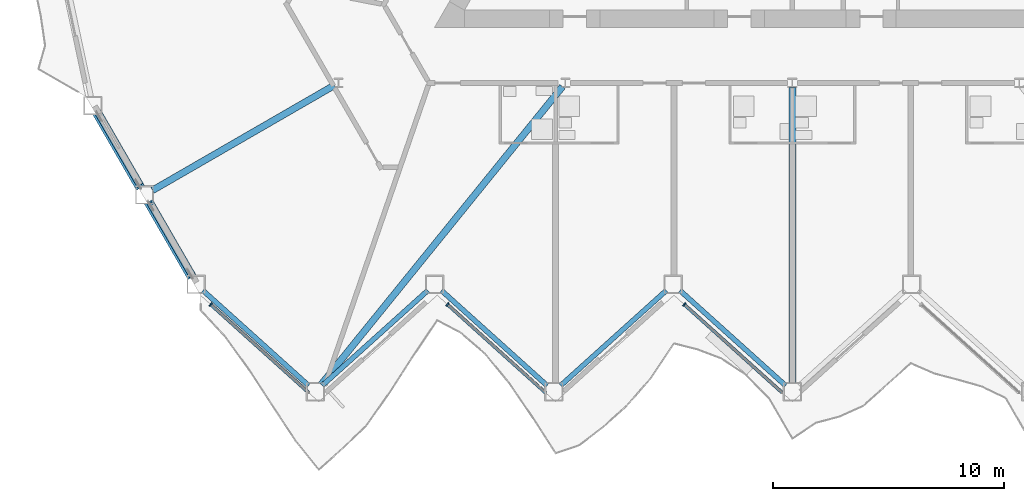
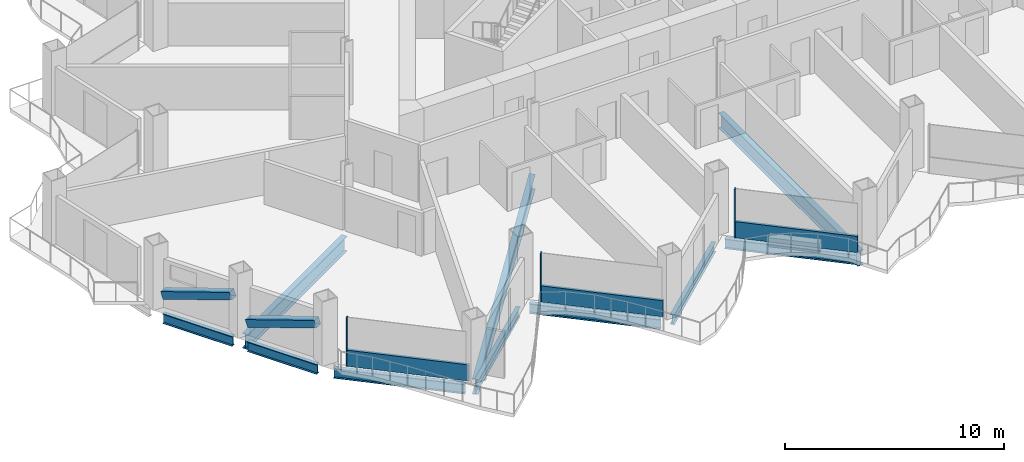
# One storey, part 3 of 23: 10 beams, 8 members, 3 elements without a shape of their own.
"""IFC4 building model written with IfcOpenShell, lengths in metres."""

from ifc_helpers import new_model, si_unit, direction, frame, origin, origin_2d, place, context, subcontext, project, spatial, rectangle, hollow_rectangle, i_section, extrude, material, layer, layer_set, material_profile, profile_set, type_object, element, aggregate, save


model = new_model("IFC4")

# Units and contexts
model_context = context("Model", 3, precision=1e-05, world=origin(), true_north=direction((0.0, 1.0)))
body_context = subcontext(model_context, "Body", "Model", "MODEL_VIEW")
ifc_project = project(units=[si_unit("LENGTHUNIT", "METRE"), si_unit("AREAUNIT", "SQUARE_METRE"), si_unit("VOLUMEUNIT", "CUBIC_METRE"), si_unit("PLANEANGLEUNIT", "RADIAN"), si_unit("MASSUNIT", "GRAM", prefix="KILO")], contexts=[model_context])

# Site, building, storey
site_placement = place(None, origin())
site = spatial("IfcSite", under=ifc_project, at=site_placement, CompositionType="ELEMENT")
building_placement = place(site_placement, origin())
building = spatial("IfcBuilding", under=site, at=building_placement, Name="Cormorant Prow Tower", CompositionType="ELEMENT")
storey_placement = place(building_placement, frame((0.0, 0.0, 180.0)))
storey = spatial("IfcBuildingStorey", under=building, at=storey_placement, Name="L38", CompositionType="ELEMENT", Elevation=180.0)

# Members
ifc_material_1 = material(Name="Structural steel ASTM A500 Gr C", Category="steel")
ifc_material_profile_1 = material_profile(ifc_material_1, hollow_rectangle(XDim=0.406494140625, YDim=0.406494140625, WallThickness=0.01171875, at=origin_2d()), Name="HSS16x16x1/2")
ifc_profile_set_1 = profile_set([ifc_material_profile_1], Name="Structural steel ASTM A500 Gr C")
member_type_1 = type_object("IfcMemberType", Name="Chamfer brace HSS16x16x1/2", PredefinedType="BRACE", material=ifc_profile_set_1)
member_1_placement = place(storey_placement, frame((-30.08544921875, -12.689453125, 0.739990234375), z_axis=(0.473983276796, -0.820989698857, 0.31830137871), x_axis=(0.866032413668, 0.499987858329, 0.0)))
element("IfcMember", 1, at=member_1_placement, inside=storey, type_object=member_type_1, Name="Chamfer brace BR2 at WSW00 L38", PredefinedType="BRACE", context=body_context, shape_type="SweptSolid", body=[
    extrude(hollow_rectangle(XDim=0.406494140625, YDim=0.406494140625, WallThickness=0.01171875, at=origin_2d()), origin(), (0.0, 0.0, 1.0), 3.8359375),
])
member_2_placement = place(storey_placement, frame((-27.850341796875, -16.56103515625, 0.739990234375), z_axis=(0.47400804529, -0.820968949664, 0.318318011883), x_axis=(0.866015628144, 0.500016931523, 0.0)))
element("IfcMember", 2, at=member_2_placement, inside=storey, type_object=member_type_1, Name="Chamfer brace BR2 at WSW01 L38", PredefinedType="BRACE", context=body_context, shape_type="SweptSolid", body=[
    extrude(hollow_rectangle(XDim=0.406494140625, YDim=0.406494140625, WallThickness=0.01171875, at=origin_2d()), origin(), (0.0, 0.0, 1.0), 3.835693359375),
])

# Curtain wall, member
ifc_material_2 = material(Name="Aluminium 6063-T6", Category="aluminium")
ifc_layer = layer(ifc_material_2, 0.179931640625)
ifc_layer_set = layer_set([ifc_layer], Name="Aluminium 6063-T6")
curtain_wall_type = type_object("IfcCurtainWallType", Name="Hotel unitised curtain wall 180", PredefinedType="NOTDEFINED", material=ifc_layer_set)
curtain_wall_1_placement = place(storey_placement, origin())
curtain_wall_1 = element("IfcCurtainWall", 3, at=curtain_wall_1_placement, inside=storey, type_object=curtain_wall_type, Name="Hotel curtain wall S00", PredefinedType="NOTDEFINED")
ifc_material_3 = material(Name="Aluminium 6063-T6", Category="aluminium")
ifc_material_profile_2 = material_profile(ifc_material_3, rectangle(XDim=0.179931640625, YDim=0.06005859375, at=origin_2d()), Name="Hotel mullion 60x180")
ifc_profile_set_2 = profile_set([ifc_material_profile_2], Name="Aluminium 6063-T6")
member_type_2 = type_object("IfcMemberType", Name="Hotel mullion 60x180", PredefinedType="MULLION", material=ifc_profile_set_2)
member_3_placement = place(storey_placement, frame((-25.191162109375, -20.94189453125, 0.0), z_axis=(0.0, 0.0, 1.0), x_axis=(0.669130655957, 0.743144780819, 0.0)))
member_3 = element("IfcMember", 4, at=member_3_placement, type_object=member_type_2, Name="Hotel mullion S00", PredefinedType="MULLION", context=body_context, shape_type="SweptSolid", body=[
    extrude(rectangle(XDim=0.179931640625, YDim=0.06005859375, at=origin_2d()), origin(), (0.0, 0.0, 1.0), 2.700927734375),
])

curtain_wall_2_placement = place(storey_placement, origin())
curtain_wall_2 = element("IfcCurtainWall", 5, at=curtain_wall_2_placement, inside=storey, type_object=curtain_wall_type, Name="Hotel curtain wall S02", PredefinedType="NOTDEFINED")
member_4_placement = place(storey_placement, frame((-14.93701171875, -20.94189453125, 0.0), z_axis=(0.0, 0.0, 1.0), x_axis=(0.669130583881, 0.743144845716, 0.0)))
member_4 = element("IfcMember", 6, at=member_4_placement, type_object=member_type_2, Name="Hotel mullion S02", PredefinedType="MULLION", context=body_context, shape_type="SweptSolid", body=[
    extrude(rectangle(XDim=0.179931640625, YDim=0.06005859375, at=origin_2d()), origin(), (0.0, 0.0, 1.0), 2.700927734375),
])

curtain_wall_3_placement = place(storey_placement, origin())
curtain_wall_3 = element("IfcCurtainWall", 7, at=curtain_wall_3_placement, inside=storey, type_object=curtain_wall_type, Name="Hotel curtain wall S04", PredefinedType="NOTDEFINED")
member_5_placement = place(storey_placement, frame((-4.6826171875, -20.94189453125, 0.0), z_axis=(0.0, 0.0, 1.0), x_axis=(0.669130583881, 0.743144845716, 0.0)))
member_5 = element("IfcMember", 8, at=member_5_placement, type_object=member_type_2, Name="Hotel mullion S04", PredefinedType="MULLION", context=body_context, shape_type="SweptSolid", body=[
    extrude(rectangle(XDim=0.179931640625, YDim=0.06005859375, at=origin_2d()), origin(), (0.0, 0.0, 1.0), 2.700927734375),
])

# Member
ifc_material_4 = material(Name="Terracotta", Category="masonry")
ifc_material_profile_3 = material_profile(ifc_material_4, rectangle(XDim=0.139892578125, YDim=0.89990234375, at=origin_2d()), Name="Hotel terracotta spandrel rail 140x900")
ifc_profile_set_3 = profile_set([ifc_material_profile_3], Name="Terracotta")
member_type_3 = type_object("IfcMemberType", Name="Hotel terracotta spandrel rail 140x900", PredefinedType="USERDEFINED", material=ifc_profile_set_3)
member_6_placement = place(storey_placement, frame((-25.1689453125, -20.9619140625, 0.449951171875), z_axis=(0.74314512794, -0.66913027044, 0.0), x_axis=(0.66913027044, 0.74314512794, 0.0)))
member_6 = element("IfcMember", 9, at=member_6_placement, type_object=member_type_3, Name="Hotel spandrel rail S00", ObjectType="TRANSOM", PredefinedType="USERDEFINED", context=body_context, shape_type="SweptSolid", body=[
    extrude(rectangle(XDim=0.139892578125, YDim=0.89990234375, at=origin_2d()), origin(), (0.0, 0.0, 1.0), 5.703125),
])

aggregate(curtain_wall_1, [member_3, member_6])

member_7_placement = place(storey_placement, frame((-14.91455078125, -20.9619140625, 0.449951171875), z_axis=(0.74314512794, -0.66913027044, 0.0), x_axis=(0.66913027044, 0.74314512794, 0.0)))
member_7 = element("IfcMember", 10, at=member_7_placement, type_object=member_type_3, Name="Hotel spandrel rail S02", ObjectType="TRANSOM", PredefinedType="USERDEFINED", context=body_context, shape_type="SweptSolid", body=[
    extrude(rectangle(XDim=0.139892578125, YDim=0.89990234375, at=origin_2d()), origin(), (0.0, 0.0, 1.0), 5.703125),
])

aggregate(curtain_wall_2, [member_4, member_7])

member_8_placement = place(storey_placement, frame((-4.660400390625, -20.9619140625, 0.449951171875), z_axis=(0.74314512794, -0.66913027044, 0.0), x_axis=(0.66913027044, 0.74314512794, 0.0)))
member_8 = element("IfcMember", 11, at=member_8_placement, type_object=member_type_3, Name="Hotel spandrel rail S04", ObjectType="TRANSOM", PredefinedType="USERDEFINED", context=body_context, shape_type="SweptSolid", body=[
    extrude(rectangle(XDim=0.139892578125, YDim=0.89990234375, at=origin_2d()), origin(), (0.0, 0.0, 1.0), 5.703125),
])

aggregate(curtain_wall_3, [member_5, member_8])

# Beams
ifc_material_5 = material(Name="Structural steel ASTM A992 Gr 50", Category="steel")
ifc_material_profile_4 = material_profile(ifc_material_5, i_section(OverallWidth=0.29296875, OverallDepth=0.845703125, WebThickness=0.015380859375, FlangeThickness=0.0244140625, at=origin_2d()), Name="W33x141")
ifc_profile_set_4 = profile_set([ifc_material_profile_4], Name="Structural steel ASTM A992 Gr 50")
beam_type_1 = type_object("IfcBeamType", Name="Radial floor beam W33x141", PredefinedType="BEAM", material=ifc_profile_set_4)
beam_1_placement = place(storey_placement, frame((-19.833251953125, -11.45068359375, -0.77294921875), z_axis=(-0.866023373109, -0.500003517217, 0.0), x_axis=(0.500003517217, -0.866023373109, 0.0)))
element("IfcBeam", 12, at=beam_1_placement, inside=storey, type_object=beam_type_1, Name="Radial floor beam FB2 5 L38", PredefinedType="BEAM", context=body_context, shape_type="SweptSolid", body=[
    extrude(i_section(OverallWidth=0.29296875, OverallDepth=0.845703125, WebThickness=0.015380859375, FlangeThickness=0.0244140625, at=origin_2d()), origin(), (0.0, 0.0, 1.0), 9.09814453125),
])
beam_2_placement = place(storey_placement, frame((-9.95654296875, -11.50732421875, -0.77294921875), z_axis=(-0.629385162657, -0.777093505974, 0.0), x_axis=(0.777093505974, -0.629385162657, 0.0)))
element("IfcBeam", 13, at=beam_2_placement, inside=storey, type_object=beam_type_1, Name="Radial floor beam FB2 6 L38", PredefinedType="BEAM", context=body_context, shape_type="SweptSolid", body=[
    extrude(i_section(OverallWidth=0.29296875, OverallDepth=0.845703125, WebThickness=0.015380859375, FlangeThickness=0.0244140625, at=origin_2d()), origin(), (0.0, 0.0, 1.0), 16.6044921875),
])
beam_3_placement = place(storey_placement, frame((0.0, -11.552734375, -0.77294921875), z_axis=(0.0, -1.0, 0.0), x_axis=(1.0, 0.0, 0.0)))
element("IfcBeam", 14, at=beam_3_placement, inside=storey, type_object=beam_type_1, Name="Radial floor beam FB2 7 L38", PredefinedType="BEAM", context=body_context, shape_type="SweptSolid", body=[
    extrude(i_section(OverallWidth=0.29296875, OverallDepth=0.845703125, WebThickness=0.015380859375, FlangeThickness=0.0244140625, at=origin_2d()), origin(), (0.0, 0.0, 1.0), 12.768798828125),
])
ifc_material_6 = material(Name="Structural steel ASTM A992 Gr 50", Category="steel")
ifc_material_profile_5 = material_profile(ifc_material_6, i_section(OverallWidth=0.2138671875, OverallDepth=0.549072265625, WebThickness=0.0146484375, FlangeThickness=0.023681640625, at=origin_2d()), Name="W21x93")
ifc_profile_set_5 = profile_set([ifc_material_profile_5], Name="Structural steel ASTM A992 Gr 50")
beam_type_2 = type_object("IfcBeamType", Name="Spandrel beam W21x93", PredefinedType="SPANDREL", material=ifc_profile_set_5)
beam_4_placement = place(storey_placement, frame((-25.5263671875, -20.3388671875, -0.62451171875), z_axis=(0.743155953285, -0.669118247469, 0.0), x_axis=(0.669118247469, 0.743155953285, 0.0)))
element("IfcBeam", 15, at=beam_4_placement, inside=storey, type_object=beam_type_2, Name="Spandrel beam SB2 S00-S01 L38", PredefinedType="SPANDREL", context=body_context, shape_type="SweptSolid", body=[
    extrude(i_section(OverallWidth=0.2138671875, OverallDepth=0.549072265625, WebThickness=0.0146484375, FlangeThickness=0.023681640625, at=origin_2d()), origin(), (0.0, 0.0, 1.0), 6.14990234375),
])
for number, where, z_axis, x_axis, name in (
    (16, (-20.361572265625, -24.453857421875, -0.62451171875), (0.743138178716, 0.669137988261, 0.0), (-0.669137988261, 0.743138178716, 0.0), "Spandrel beam SB2 S01-S02 L38"),
    (17, (-15.19677734375, -20.3388671875, -0.62451171875), (0.743138178716, -0.669137988261, 0.0), (0.669137988261, 0.743138178716, 0.0), "Spandrel beam SB2 S02-S03 L38"),
):
    element("IfcBeam", number, at=place(storey_placement, frame(where, z_axis=z_axis, x_axis=x_axis)), inside=storey, type_object=beam_type_2, Name=name, PredefinedType="SPANDREL", context=body_context, shape_type="SweptSolid", body=[
        extrude(i_section(OverallWidth=0.2138671875, OverallDepth=0.549072265625, WebThickness=0.0146484375, FlangeThickness=0.023681640625, at=origin_2d()), origin(), (0.0, 0.0, 1.0), 6.149658203125),
    ])
beam_5_placement = place(storey_placement, frame((-10.0322265625, -24.453857421875, -0.62451171875), z_axis=(0.743155953285, 0.669118247469, 0.0), x_axis=(-0.669118247469, 0.743155953285, 0.0)))
element("IfcBeam", 18, at=beam_5_placement, inside=storey, type_object=beam_type_2, Name="Spandrel beam SB2 S03-S04 L38", PredefinedType="SPANDREL", context=body_context, shape_type="SweptSolid", body=[
    extrude(i_section(OverallWidth=0.2138671875, OverallDepth=0.549072265625, WebThickness=0.0146484375, FlangeThickness=0.023681640625, at=origin_2d()), origin(), (0.0, 0.0, 1.0), 6.14990234375),
])
beam_6_placement = place(storey_placement, frame((-4.867431640625, -20.3388671875, -0.62451171875), z_axis=(0.743138178716, -0.669137988261, 0.0), x_axis=(0.669137988261, 0.743138178716, 0.0)))
element("IfcBeam", 19, at=beam_6_placement, inside=storey, type_object=beam_type_2, Name="Spandrel beam SB2 S04-S05 L38", PredefinedType="SPANDREL", context=body_context, shape_type="SweptSolid", body=[
    extrude(i_section(OverallWidth=0.2138671875, OverallDepth=0.549072265625, WebThickness=0.0146484375, FlangeThickness=0.023681640625, at=origin_2d()), origin(), (0.0, 0.0, 1.0), 6.149658203125),
])
for number, where, z_axis, x_axis, name in (
    (20, (-30.093994140625, -12.674560546875, -0.62451171875), (0.499994986164, -0.866028298505, 0.0), (0.866028298505, 0.499994986164, 0.0), "Spandrel beam SB2 WSW00-WSW01 L38"),
    (21, (-27.85888671875, -16.546142578125, -0.62451171875), (0.499994986164, -0.866028298505, 0.0), (0.866028298505, 0.499994986164, 0.0), "Spandrel beam SB2 WSW01-S00 L38"),
):
    element("IfcBeam", number, at=place(storey_placement, frame(where, z_axis=z_axis, x_axis=x_axis)), inside=storey, type_object=beam_type_2, Name=name, PredefinedType="SPANDREL", context=body_context, shape_type="SweptSolid", body=[
        extrude(i_section(OverallWidth=0.2138671875, OverallDepth=0.549072265625, WebThickness=0.0146484375, FlangeThickness=0.023681640625, at=origin_2d()), origin(), (0.0, 0.0, 1.0), 3.67041015625),
    ])

save(model, "model.ifc")
